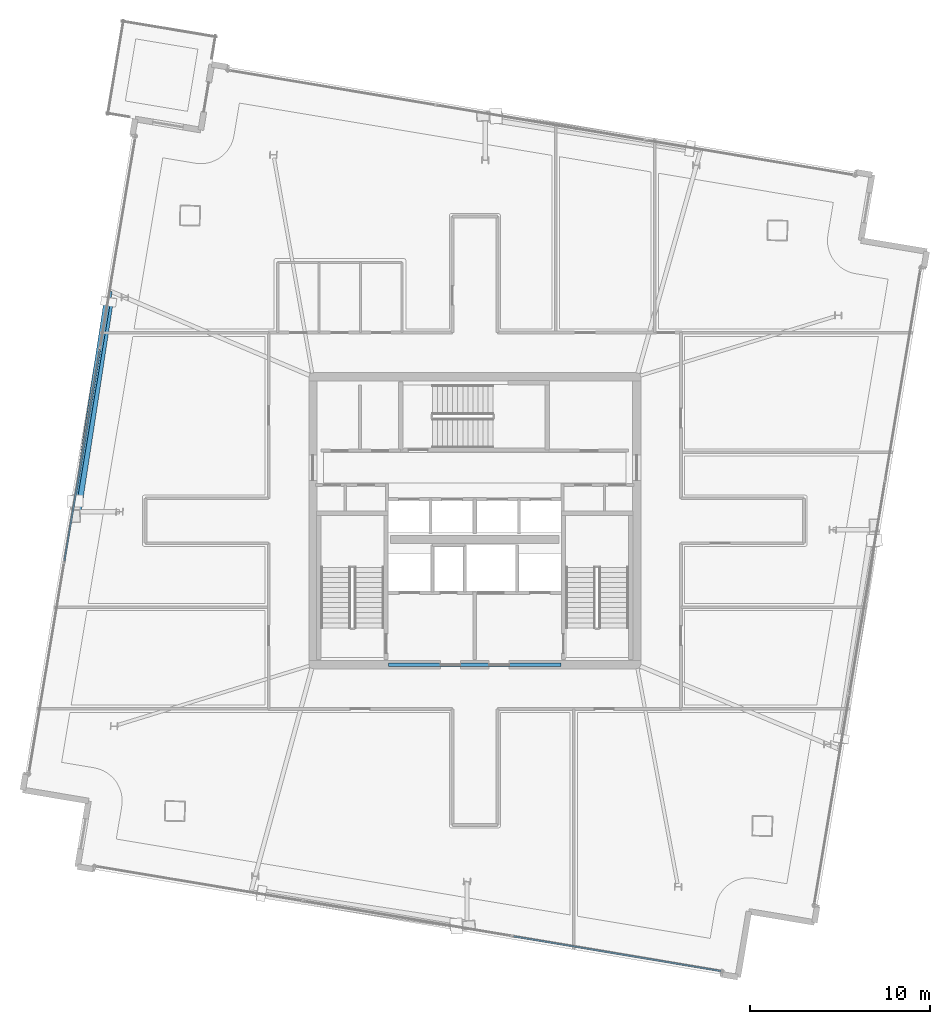
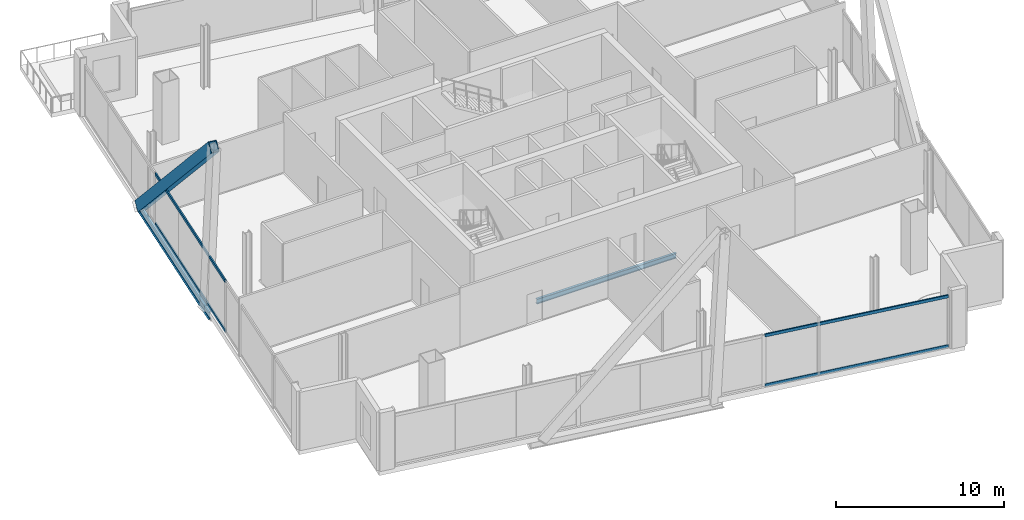
# One storey, part 5 of 18: 5 members, 2 beams, 2 elements without a shape of their own.
"""IFC4 building model written with IfcOpenShell, lengths in metres."""

import ifcopenshell
import ifcopenshell.guid

model = None  # the IFC model being written
_history = None  # IfcOwnerHistory: only IFC2X3 demands one
_inside = {}  # id of a spatial element -> (the spatial element, [elements in it])
_under = {}  # id of a project, library or spatial element -> (it, [spatial elements below it])
_declared = {}  # id of a project -> (the project, [libraries it declares])
_typed = {}  # id of a type object -> (the type object, [elements of that type])
_made_of = {}  # id of a material, layer set ... -> (it, [elements and type objects made of it])


def new_model(schema):
    """Start an empty IFC model of exactly this schema.

    Asked for "IFC4X3", IfcOpenShell would pick the latest addendum, in which some entities
    have other attributes; the version numbers below select the first issue.
    IFC2X3 requires an IfcOwnerHistory on every rooted entity: one is made here for all.
    """
    global model, _history
    if schema == "IFC4X3":
        model = ifcopenshell.file(schema_version=(4, 3, 0, 0))
    else:
        model = ifcopenshell.file(schema=schema)
    _inside.clear()
    _under.clear()
    _declared.clear()
    _typed.clear()
    _made_of.clear()
    _history = None
    if model.schema == "IFC2X3":
        org = make("IfcOrganization", Name="unknown")
        user = make(
            "IfcPersonAndOrganization",
            ThePerson=make("IfcPerson", FamilyName="unknown"),
            TheOrganization=org,
        )
        app = make(
            "IfcApplication",
            ApplicationDeveloper=org,
            Version="unknown",
            ApplicationFullName="unknown",
            ApplicationIdentifier="unknown",
        )
        _history = make(
            "IfcOwnerHistory",
            OwningUser=user,
            OwningApplication=app,
            ChangeAction="ADDED",
            CreationDate=0,
        )
    return model


def make(cls, **values):
    """One entity of the class cls with the attributes given. An attribute that is None is left unset."""
    return model.create_entity(
        cls, **{name: value for name, value in values.items() if value is not None}
    )


def rooted(cls, **values):
    """An entity with a GlobalId (a new one), such as an element, a storey or a relation."""
    return make(cls, GlobalId=ifcopenshell.guid.new(), OwnerHistory=_history, **values)


def si_unit(unit_type, name, prefix=None):
    """IfcSIUnit, for example si_unit("LENGTHUNIT", "METRE", prefix="MILLI")."""
    return make("IfcSIUnit", UnitType=unit_type, Prefix=prefix, Name=name)


def assignment(units):
    """IfcUnitAssignment: the units of a project."""
    return None if units is None else make("IfcUnitAssignment", Units=units)


def point(xyz):
    """IfcCartesianPoint."""
    return None if xyz is None else make("IfcCartesianPoint", Coordinates=xyz)


def direction(xyz):
    """IfcDirection."""
    return None if xyz is None else make("IfcDirection", DirectionRatios=xyz)


def frame(location, z_axis=None, x_axis=None):
    """IfcAxis2Placement3D, a coordinate frame: its origin and axes. An axis left out is left unset."""
    return make(
        "IfcAxis2Placement3D",
        Location=point(location),
        Axis=direction(z_axis),
        RefDirection=direction(x_axis),
    )


def frame_2d(location, x_axis=None):
    """IfcAxis2Placement2D, a coordinate frame in the plane: its origin and x axis."""
    return make(
        "IfcAxis2Placement2D", Location=point(location), RefDirection=direction(x_axis)
    )


def origin():
    """The frame at (0, 0, 0) with its axes left unset."""
    return frame((0.0, 0.0, 0.0))


def origin_2d():
    """The frame at (0, 0) in the plane with its x axis left unset."""
    return frame_2d((0.0, 0.0))


def place(relative_to, where):
    """IfcLocalPlacement: puts the frame where relative to a parent placement (None: the world)."""
    return make(
        "IfcLocalPlacement", PlacementRelTo=relative_to, RelativePlacement=where
    )


def context(
    kind, dimensions, precision=None, world=None, true_north=None, identifier=None
):
    """IfcGeometricRepresentationContext, for example the 3D "Model" context."""
    return make(
        "IfcGeometricRepresentationContext",
        ContextIdentifier=identifier,
        ContextType=kind,
        CoordinateSpaceDimension=dimensions,
        Precision=precision,
        WorldCoordinateSystem=world,
        TrueNorth=true_north,
    )


def subcontext(parent, identifier, kind, view, scale=None):
    """IfcGeometricRepresentationSubContext, for example "Body" below "Model"."""
    return make(
        "IfcGeometricRepresentationSubContext",
        ContextIdentifier=identifier,
        ContextType=kind,
        ParentContext=parent,
        TargetScale=scale,
        TargetView=view,
    )


def project(units=None, contexts=None):
    """IfcProject with its units and contexts."""
    return rooted(
        "IfcProject",
        Name="project",
        RepresentationContexts=contexts,
        UnitsInContext=assignment(units),
    )


def spatial(cls, under=None, at=None, **own):
    """A site, building, storey or space (cls), placed at a placement, below another one or the project."""
    s = rooted(cls, ObjectPlacement=at, **own)
    if under is not None:
        _under.setdefault(under.id(), (under, []))[1].append(s)
    return s


def profile(cls, at=None, kind="AREA", **sizes):
    """A parametric profile (cls). Its sizes go by their IFC names, for example OverallWidth=200.0."""
    return make(cls, ProfileType=kind, Position=at, **sizes)


def hollow_rectangle(**sizes):
    """IfcRectangleHollowProfileDef."""
    return profile("IfcRectangleHollowProfileDef", **sizes)


def i_section(**sizes):
    """IfcIShapeProfileDef."""
    return profile("IfcIShapeProfileDef", **sizes)


def extrude(swept, where, along, depth):
    """IfcExtrudedAreaSolid: the profile swept, set in the frame where, extruded along a direction by depth."""
    return make(
        "IfcExtrudedAreaSolid",
        SweptArea=swept,
        Position=where,
        ExtrudedDirection=direction(along),
        Depth=depth,
    )


def shape(context_of_items, identifier, shape_type, items):
    """IfcShapeRepresentation: the items that make up one representation, for example the "Body"."""
    return make(
        "IfcShapeRepresentation",
        ContextOfItems=context_of_items,
        RepresentationIdentifier=identifier,
        RepresentationType=shape_type,
        Items=items,
    )


def material(Name=None, Category=None):
    """IfcMaterial."""
    return make("IfcMaterial", Name=Name, Category=Category)


def material_profile(
    of_material, cross_section, Name=None, Category=None, Priority=None
):
    """IfcMaterialProfile: a cross section and its material."""
    return make(
        "IfcMaterialProfile",
        Name=Name,
        Material=of_material,
        Profile=cross_section,
        Priority=Priority,
        Category=Category,
    )


def profile_set(profiles, Name=None, composite=None):
    """IfcMaterialProfileSet."""
    return make(
        "IfcMaterialProfileSet",
        Name=Name,
        MaterialProfiles=profiles,
        CompositeProfile=composite,
    )


def made_of(thing, what):
    """Note that an element or type object is made of a material, layer set ...; save() writes the relation."""
    if what is not None:
        _made_of.setdefault(what.id(), (what, []))[1].append(thing)
    return thing


def type_object(cls, material=None, **own):
    """A type object (cls), such as IfcWallType, which elements share."""
    return made_of(rooted(cls, **own), material)


def element(
    cls,
    number,
    at=None,
    inside=None,
    cuts=None,
    type_object=None,
    material=None,
    context=None,
    identifier="Body",
    shape_type=None,
    held_by="IfcProductDefinitionShape",
    body=None,
    shapes=None,
    **own,
):
    """One element of the class cls, such as IfcWall. Its Tag is "e" and its number.

    at: its placement. inside: the storey or other place that contains it. cuts: it is an
    opening in that element (IfcRelVoidsElement). A single representation is given by context,
    identifier, shape_type and body (its items); several are given by shapes. held_by: the class
    of the entity that holds the representations. save() writes the other relations.
    """
    e = rooted(cls, Tag="e%d" % number, ObjectPlacement=at, **own)
    if body is not None:
        shapes = [shape(context, identifier, shape_type, body)]
    if shapes is not None:
        e.Representation = make(held_by, Representations=shapes)
    if inside is not None:
        _inside.setdefault(inside.id(), (inside, []))[1].append(e)
    if cuts is not None:
        rooted(
            "IfcRelVoidsElement", RelatingBuildingElement=cuts, RelatedOpeningElement=e
        )
    if type_object is not None:
        _typed.setdefault(type_object.id(), (type_object, []))[1].append(e)
    return made_of(e, material)


def aggregate(whole, parts):
    """IfcRelAggregates: a whole, such as a stair, and the parts it consists of."""
    return rooted("IfcRelAggregates", RelatingObject=whole, RelatedObjects=parts)


def save(model, path):
    """Write the relations noted so far, then the file.

    IfcRelAggregates (storeys below a building ...), IfcRelContainedInSpatialStructure (elements
    in a storey), IfcRelDefinesByType, IfcRelAssociatesMaterial and IfcRelDeclares: one each for
    every whole, place, type object, material and project.
    """
    for whole, parts in _under.values():
        aggregate(whole, parts)
    for where, things in _inside.values():
        rooted(
            "IfcRelContainedInSpatialStructure",
            RelatedElements=things,
            RelatingStructure=where,
        )
    for kind, things in _typed.values():
        rooted("IfcRelDefinesByType", RelatedObjects=things, RelatingType=kind)
    for what, things in _made_of.values():
        rooted("IfcRelAssociatesMaterial", RelatedObjects=things, RelatingMaterial=what)
    for by, libraries in _declared.values():
        rooted("IfcRelDeclares", RelatingContext=by, RelatedDefinitions=libraries)
    model.write(path)


model = new_model("IFC4")

# Units and contexts
model_context = context("Model", 3, precision=1e-05, world=origin(), true_north=direction((0.0, 1.0)))
body_context = subcontext(model_context, "Body", "Model", "MODEL_VIEW")
ifc_project = project(units=[si_unit("LENGTHUNIT", "METRE"), si_unit("AREAUNIT", "SQUARE_METRE"), si_unit("VOLUMEUNIT", "CUBIC_METRE"), si_unit("PLANEANGLEUNIT", "RADIAN"), si_unit("MASSUNIT", "GRAM", prefix="KILO")], contexts=[model_context])

# Site, building, storey
site_placement = place(None, origin())
site = spatial("IfcSite", under=ifc_project, at=site_placement, CompositionType="ELEMENT")
building_placement = place(site_placement, origin())
building = spatial("IfcBuilding", under=site, at=building_placement, Name="Haldenkirk Collegiate Tower", CompositionType="ELEMENT")
storey_placement = place(building_placement, frame((0.0, 0.0, 298.199951171875)))
storey = spatial("IfcBuildingStorey", under=building, at=storey_placement, Name="L75", CompositionType="ELEMENT", Elevation=298.199951171875)

# Beams
ifc_material_1 = material(Name="Steel ASTM A992 Grade 50", Category="steel")
ifc_material_profile_1 = material_profile(ifc_material_1, i_section(OverallWidth=0.1708984375, OverallDepth=0.35595703125, WebThickness=0.007080078125, FlangeThickness=0.01171875, at=origin_2d()), Name="W14X34")
ifc_profile_set_1 = profile_set([ifc_material_profile_1], Name="Steel ASTM A992 Grade 50")
beam_type_1 = type_object("IfcBeamType", Name="BM-LINTEL-W14X34", PredefinedType="LINTEL", material=ifc_profile_set_1)
beam_1_placement = place(storey_placement, frame((31.199951171875, 18.0, -0.577880859375), z_axis=(1.0, 0.0, 0.0), x_axis=(0.0, 1.0, 0.0)))
element("IfcBeam", 1, at=beam_1_placement, inside=storey, type_object=beam_type_1, Name="L75 south core coupling lintel", PredefinedType="LINTEL", context=body_context, shape_type="SweptSolid", body=[
    extrude(i_section(OverallWidth=0.1708984375, OverallDepth=0.35595703125, WebThickness=0.007080078125, FlangeThickness=0.01171875, at=origin_2d()), origin(), (0.0, 0.0, 1.0), 9.60009765625),
])
ifc_material_profile_2 = material_profile(ifc_material_1, i_section(OverallWidth=0.2099609375, OverallDepth=0.537109375, WebThickness=0.010986328125, FlangeThickness=0.017333984375, at=origin_2d()), Name="W21X68")
ifc_profile_set_2 = profile_set([ifc_material_profile_2], Name="Steel ASTM A992 Grade 50")
beam_type_2 = type_object("IfcBeamType", Name="BM-SPANDREL-W21X68", PredefinedType="SPANDREL", material=ifc_profile_set_2)
beam_2_placement = place(storey_placement, frame((15.747314453125, 38.75439453125, -0.66845703125), z_axis=(-0.165052149922, -0.986284841111, 0.0), x_axis=(0.986284841111, -0.165052149922, 0.0)))
element("IfcBeam", 2, at=beam_2_placement, inside=storey, type_object=beam_type_2, Name="L75 outer facade edge beam 3", PredefinedType="SPANDREL", context=body_context, shape_type="SweptSolid", body=[
    extrude(i_section(OverallWidth=0.2099609375, OverallDepth=0.537109375, WebThickness=0.010986328125, FlangeThickness=0.017333984375, at=origin_2d()), origin(), (0.0, 0.0, 1.0), 12.425048828125),
])

# Curtain wall, members
ifc_material_2 = material(Name="Anodised architectural bronze aluminium", Category="aluminium")
curtain_wall_type = type_object("IfcCurtainWallType", Name="CW-SYS4-SKYGARDEN", PredefinedType="USERDEFINED", material=ifc_material_2)
curtain_wall_1_placement = place(storey_placement, origin())
curtain_wall_1 = element("IfcCurtainWall", 3, at=curtain_wall_1_placement, inside=storey, type_object=curtain_wall_type, Name="L75 Sky-garden tall bronze curtain wall", ObjectType="UNITISED CURTAIN WALL", PredefinedType="USERDEFINED")
ifc_material_profile_3 = material_profile(ifc_material_2, hollow_rectangle(XDim=0.090087890625, YDim=0.2099609375, WallThickness=0.0048828125, at=origin_2d()), Name="CW-TRN-04")
ifc_profile_set_3 = profile_set([ifc_material_profile_3], Name="Anodised architectural bronze aluminium")
member_type_1 = type_object("IfcMemberType", Name="CW-TRN-04", PredefinedType="USERDEFINED", material=ifc_profile_set_3)
member_1_placement = place(storey_placement, frame((13.200439453125, 23.777587890625, 0.045166015625), z_axis=(0.16505713156, 0.986284007435, 0.0), x_axis=(-0.986284007435, 0.16505713156, 0.0)))
member_1 = element("IfcMember", 4, at=member_1_placement, type_object=member_type_1, Name="CW-04 transom 2.1", ObjectType="TRANSOM", PredefinedType="USERDEFINED", context=body_context, shape_type="SweptSolid", body=[
    extrude(hollow_rectangle(XDim=0.090087890625, YDim=0.2099609375, WallThickness=0.0048828125, at=origin_2d()), origin(), (0.0, 0.0, 1.0), 11.909912109375),
])
member_2_placement = place(storey_placement, frame((13.200439453125, 23.777587890625, 3.653076171875), z_axis=(0.16505713156, 0.986284007435, 0.0), x_axis=(-0.986284007435, 0.16505713156, 0.0)))
member_2 = element("IfcMember", 5, at=member_2_placement, type_object=member_type_1, Name="CW-04 transom 2.2", ObjectType="TRANSOM", PredefinedType="USERDEFINED", context=body_context, shape_type="SweptSolid", body=[
    extrude(hollow_rectangle(XDim=0.090087890625, YDim=0.2099609375, WallThickness=0.0048828125, at=origin_2d()), origin(), (0.0, 0.0, 1.0), 11.909912109375),
])
aggregate(curtain_wall_1, [member_1, member_2])

curtain_wall_2_placement = place(storey_placement, origin())
curtain_wall_2 = element("IfcCurtainWall", 6, at=curtain_wall_2_placement, inside=storey, type_object=curtain_wall_type, Name="L75 Sky-garden tall bronze curtain wall", ObjectType="UNITISED CURTAIN WALL", PredefinedType="USERDEFINED")
member_3_placement = place(storey_placement, frame((49.66796875, 0.98095703125, 0.045166015625), z_axis=(-0.98628510108, 0.16505059645, 0.0), x_axis=(-0.16505059645, -0.98628510108, 0.0)))
member_3 = element("IfcMember", 7, at=member_3_placement, type_object=member_type_1, Name="CW-04 transom 1.1", ObjectType="TRANSOM", PredefinedType="USERDEFINED", context=body_context, shape_type="SweptSolid", body=[
    extrude(hollow_rectangle(XDim=0.090087890625, YDim=0.2099609375, WallThickness=0.0048828125, at=origin_2d()), origin(), (0.0, 0.0, 1.0), 11.664794921875),
])
member_4_placement = place(storey_placement, frame((49.66796875, 0.98095703125, 3.653076171875), z_axis=(-0.98628510108, 0.16505059645, 0.0), x_axis=(-0.16505059645, -0.98628510108, 0.0)))
member_4 = element("IfcMember", 8, at=member_4_placement, type_object=member_type_1, Name="CW-04 transom 1.2", ObjectType="TRANSOM", PredefinedType="USERDEFINED", context=body_context, shape_type="SweptSolid", body=[
    extrude(hollow_rectangle(XDim=0.090087890625, YDim=0.2099609375, WallThickness=0.0048828125, at=origin_2d()), origin(), (0.0, 0.0, 1.0), 11.664794921875),
])
aggregate(curtain_wall_2, [member_3, member_4])

# Member
ifc_material_3 = material(Name="Steel ASTM A572 Grade 50", Category="steel")
ifc_material_profile_4 = material_profile(ifc_material_3, hollow_rectangle(XDim=0.52001953125, YDim=0.719970703125, WallThickness=0.035888671875, at=origin_2d()), Name="BOX720X520X36")
ifc_profile_set_4 = profile_set([ifc_material_profile_4], Name="Steel ASTM A572 Grade 50")
member_type_2 = type_object("IfcMemberType", Name="MBR-MEGABRACE-BOX720X520X36", PredefinedType="BRACE", material=ifc_profile_set_4)
member_5_placement = place(storey_placement, frame((15.648193359375, 38.16259765625, -0.409912109375), z_axis=(-0.10670248637, -0.696271194336, 0.709803496286), x_axis=(0.988460319801, -0.151480019077, 0.0)))
element("IfcMember", 9, at=member_5_placement, inside=storey, type_object=member_type_2, Name="Perimeter Mega Brace Z6 L75-L77 NL", PredefinedType="BRACE", context=body_context, shape_type="SweptSolid", body=[
    extrude(hollow_rectangle(XDim=0.52001953125, YDim=0.719970703125, WallThickness=0.035888671875, at=origin_2d()), origin(), (0.0, 0.0, 1.0), 17.103271484375),
])

save(model, "model.ifc")
